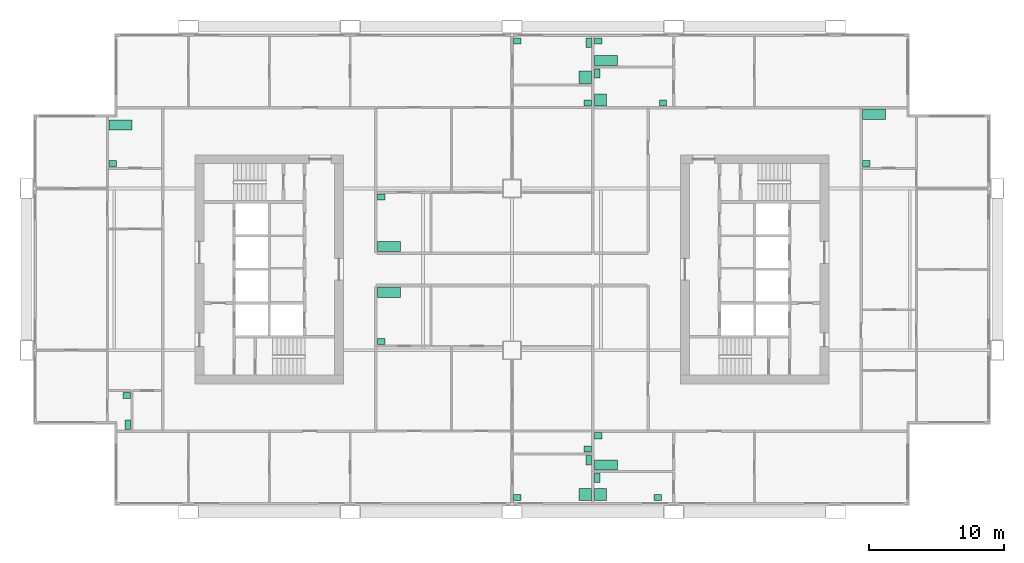
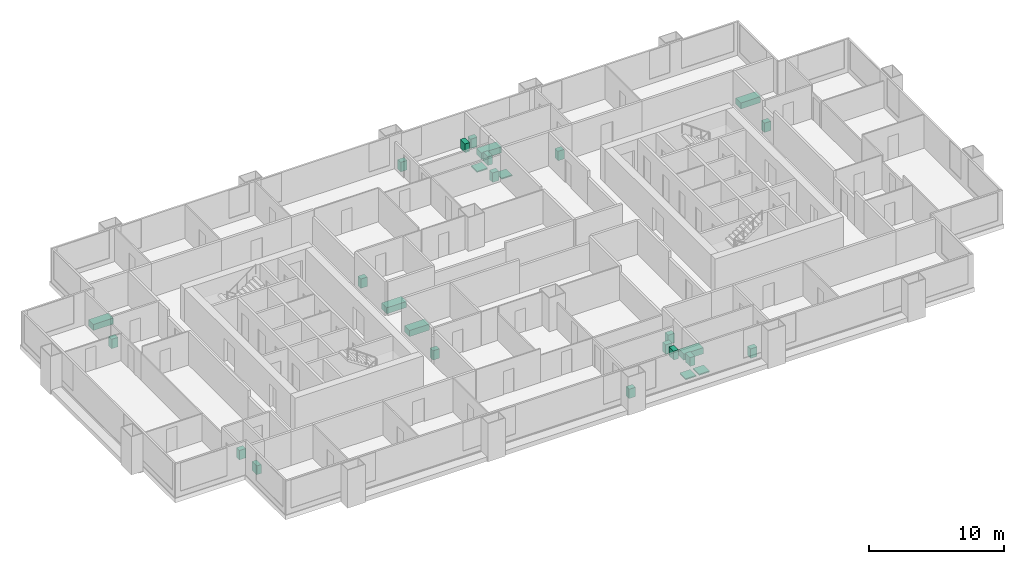
# One storey, part 10 of 10: 28 sanitary terminals.
"""IFC4 building model written with IfcOpenShell, lengths in metres."""

from ifc_helpers import new_model, si_unit, direction, frame, origin, origin_2d, place, context, subcontext, project, spatial, rectangle, extrude, material, type_object, element, save


model = new_model("IFC4")

# Units and contexts
model_context = context("Model", 3, precision=1e-05, world=origin(), true_north=direction((0.0, 1.0)))
body_context = subcontext(model_context, "Body", "Model", "MODEL_VIEW")
ifc_project = project(units=[si_unit("LENGTHUNIT", "METRE"), si_unit("AREAUNIT", "SQUARE_METRE"), si_unit("VOLUMEUNIT", "CUBIC_METRE"), si_unit("PLANEANGLEUNIT", "RADIAN"), si_unit("MASSUNIT", "GRAM", prefix="KILO")], contexts=[model_context])

# Site, building, storey
site_placement = place(None, origin())
site = spatial("IfcSite", under=ifc_project, at=site_placement, CompositionType="ELEMENT")
building_placement = place(site_placement, origin())
building = spatial("IfcBuilding", under=site, at=building_placement, Name="Kitamizu Gate Tower and Museum", CompositionType="ELEMENT")
storey_placement = place(building_placement, frame((0.0, 0.0, 117.300048828125)))
storey = spatial("IfcBuildingStorey", under=building, at=storey_placement, Name="L30", CompositionType="ELEMENT", Elevation=117.300048828125)

# Sanitary terminals
ifc_material_1 = material(Name="Acrylic")
sanitary_terminal_type_1 = type_object("IfcSanitaryTerminalType", Name="Bath", PredefinedType="BATH", material=ifc_material_1)
for number, where, z_axis, x_axis, name in (
    (1, (26.8701171875, 28.304931640625, 0.0009765625), (0.0, 0.0, 1.0), (1.0, 0.0, 0.0), "Bath Bathroom 30A"),
    (2, (6.969970703125, 40.705078125, 0.0009765625), (0.0, 0.0, 1.0), (1.0, 0.0, 0.0), "Bath Bathroom 30B"),
    (3, (26.8701171875, 31.695068359375, 0.0009765625), (0.0, 0.0, 1.0), (1.0, 0.0, 0.0), "Bath Bathroom 30C"),
    (4, (42.969970703125, 15.4951171875, 0.0009765625), (0.0, 0.0, 1.0), (1.0, 0.0, 0.0), "Bath Bathroom 30D"),
    (5, (62.8701171875, 41.5048828125, 0.0009765625), (0.0, 0.0, 1.0), (1.0, 0.0, 0.0), "Bath Bathroom and WC 30F"),
    (6, (42.969970703125, 45.4951171875, 0.0009765625), (0.0, 0.0, 1.0), (1.0, 0.0, 0.0), "Bath Bathroom 30G"),
):
    element("IfcSanitaryTerminal", number, at=place(storey_placement, frame(where, z_axis=z_axis, x_axis=x_axis)), inside=storey, type_object=sanitary_terminal_type_1, Name=name, PredefinedType="BATH", context=body_context, shape_type="SweptSolid", body=[
        extrude(rectangle(XDim=1.699951171875, YDim=0.75, at=origin_2d()), origin(), (0.0, 0.0, 1.0), 0.550048828125),
    ])
ifc_material_2 = material(Name="Acrylic")
sanitary_terminal_type_2 = type_object("IfcSanitaryTerminalType", Name="Shower tray", PredefinedType="SHOWER", material=ifc_material_2)
for number, where, z_axis, x_axis, name in (
    (7, (41.429931640625, 13.2900390625, 0.0009765625), (0.0, 0.0, 1.0), (1.0, 0.0, 0.0), "Shower tray En-suite bathroom and WC 30A"),
    (8, (41.429931640625, 44.25, 0.0009765625), (0.0, 0.0, 1.0), (1.0, 0.0, 0.0), "Shower tray En-suite bathroom and WC 30C"),
    (9, (42.570068359375, 13.2900390625, 0.0009765625), (0.0, 0.0, 1.0), (1.0, 0.0, 0.0), "Shower tray En-suite bathroom and WC 30D"),
    (10, (42.570068359375, 42.570068359375, 0.0009765625), (0.0, 0.0, 1.0), (1.0, 0.0, 0.0), "Shower tray En-suite bathroom and WC 30G"),
):
    element("IfcSanitaryTerminal", number, at=place(storey_placement, frame(where, z_axis=z_axis, x_axis=x_axis)), inside=storey, type_object=sanitary_terminal_type_2, Name=name, PredefinedType="SHOWER", context=body_context, shape_type="SweptSolid", body=[
        extrude(rectangle(XDim=0.89990234375, YDim=0.89990234375, at=origin_2d()), origin(), (0.0, 0.0, 1.0), 0.10009765625),
    ])
ifc_material_3 = material(Name="Vitreous china")
sanitary_terminal_type_3 = type_object("IfcSanitaryTerminalType", Name="Wash hand basin", PredefinedType="WASHHANDBASIN", material=ifc_material_3)
for number, where, z_axis, x_axis, name in (
    (11, (36.39501953125, 13.06494140625, 0.0009765625), (0.0, 0.0, 1.0), (1.0, 0.0, 0.0), "Wash hand basin En-suite bathroom and WC 30A"),
    (12, (41.60498046875, 16.6650390625, 0.0009765625), (0.0, 0.0, 1.0), (1.0, 0.0, 0.0), "Wash hand basin Wash room 30A"),
    (13, (26.294921875, 24.64501953125, 0.0009765625), (0.0, 0.0, 1.0), (1.0, 0.0, 0.0), "Wash hand basin Bathroom 30A"),
    (14, (7.405029296875, 20.655029296875, 0.0009765625), (0.0, 0.0, 1.0), (1.0, 0.0, 0.0), "Wash hand basin WC 30B"),
    (15, (6.39501953125, 37.844970703125, 0.0009765625), (0.0, 0.0, 1.0), (1.0, 0.0, 0.0), "Wash hand basin Bathroom 30B"),
    (16, (36.39501953125, 46.93505859375, 0.0009765625), (0.0, 0.0, 1.0), (1.0, 0.0, 0.0), "Wash hand basin En-suite bathroom and WC 30C"),
    (17, (41.60498046875, 42.344970703125, 0.0009765625), (0.0, 0.0, 1.0), (1.0, 0.0, 0.0), "Wash hand basin Wash room 30C"),
    (18, (26.294921875, 35.35498046875, 0.0009765625), (0.0, 0.0, 1.0), (1.0, 0.0, 0.0), "Wash hand basin Bathroom 30C"),
    (19, (46.804931640625, 13.06494140625, 0.0009765625), (0.0, 0.0, 1.0), (1.0, 0.0, 0.0), "Wash hand basin En-suite bathroom and WC 30D"),
    (20, (42.39501953125, 17.655029296875, 0.0009765625), (0.0, 0.0, 1.0), (1.0, 0.0, 0.0), "Wash hand basin Bathroom 30D"),
    (21, (62.294921875, 37.844970703125, 0.0009765625), (0.0, 0.0, 1.0), (1.0, 0.0, 0.0), "Wash hand basin Bathroom and WC 30F"),
    (22, (47.205078125, 42.344970703125, 0.0009765625), (0.0, 0.0, 1.0), (1.0, 0.0, 0.0), "Wash hand basin En-suite bathroom and WC 30G"),
    (23, (42.39501953125, 46.93505859375, 0.0009765625), (0.0, 0.0, 1.0), (1.0, 0.0, 0.0), "Wash hand basin Bathroom 30G"),
):
    element("IfcSanitaryTerminal", number, at=place(storey_placement, frame(where, z_axis=z_axis, x_axis=x_axis)), inside=storey, type_object=sanitary_terminal_type_3, Name=name, PredefinedType="WASHHANDBASIN", context=body_context, shape_type="SweptSolid", body=[
        extrude(rectangle(XDim=0.550048828125, YDim=0.449951171875, at=origin_2d()), origin(), (0.0, 0.0, 1.0), 0.85009765625),
    ])
ifc_material_4 = material(Name="Vitreous china")
sanitary_terminal_type_4 = type_object("IfcSanitaryTerminalType", Name="Water closet", PredefinedType="TOILETPAN", material=ifc_material_4)
for number, where, z_axis, x_axis, name in (
    (24, (41.679931640625, 15.85009765625, 0.0009765625), (0.0, 0.0, 1.0), (1.0, 0.0, 0.0), "Water closet En-suite bathroom and WC 30A"),
    (25, (7.47998046875, 18.469970703125, 0.0009765625), (0.0, 0.0, 1.0), (1.0, 0.0, 0.0), "Water closet WC 30B"),
    (26, (41.679931640625, 46.81005859375, 0.0009765625), (0.0, 0.0, 1.0), (1.0, 0.0, 0.0), "Water closet En-suite bathroom and WC 30C"),
    (27, (42.320068359375, 14.530029296875, 0.0009765625), (0.0, 0.0, 1.0), (1.0, 0.0, 0.0), "Water closet En-suite bathroom and WC 30D"),
    (28, (42.320068359375, 44.530029296875, 0.0009765625), (0.0, 0.0, 1.0), (1.0, 0.0, 0.0), "Water closet En-suite bathroom and WC 30G"),
):
    element("IfcSanitaryTerminal", number, at=place(storey_placement, frame(where, z_axis=z_axis, x_axis=x_axis)), inside=storey, type_object=sanitary_terminal_type_4, Name=name, PredefinedType="TOILETPAN", context=body_context, shape_type="SweptSolid", body=[
        extrude(rectangle(XDim=0.39990234375, YDim=0.699951171875, at=origin_2d()), origin(), (0.0, 0.0, 1.0), 0.800048828125),
    ])

save(model, "model.ifc")
